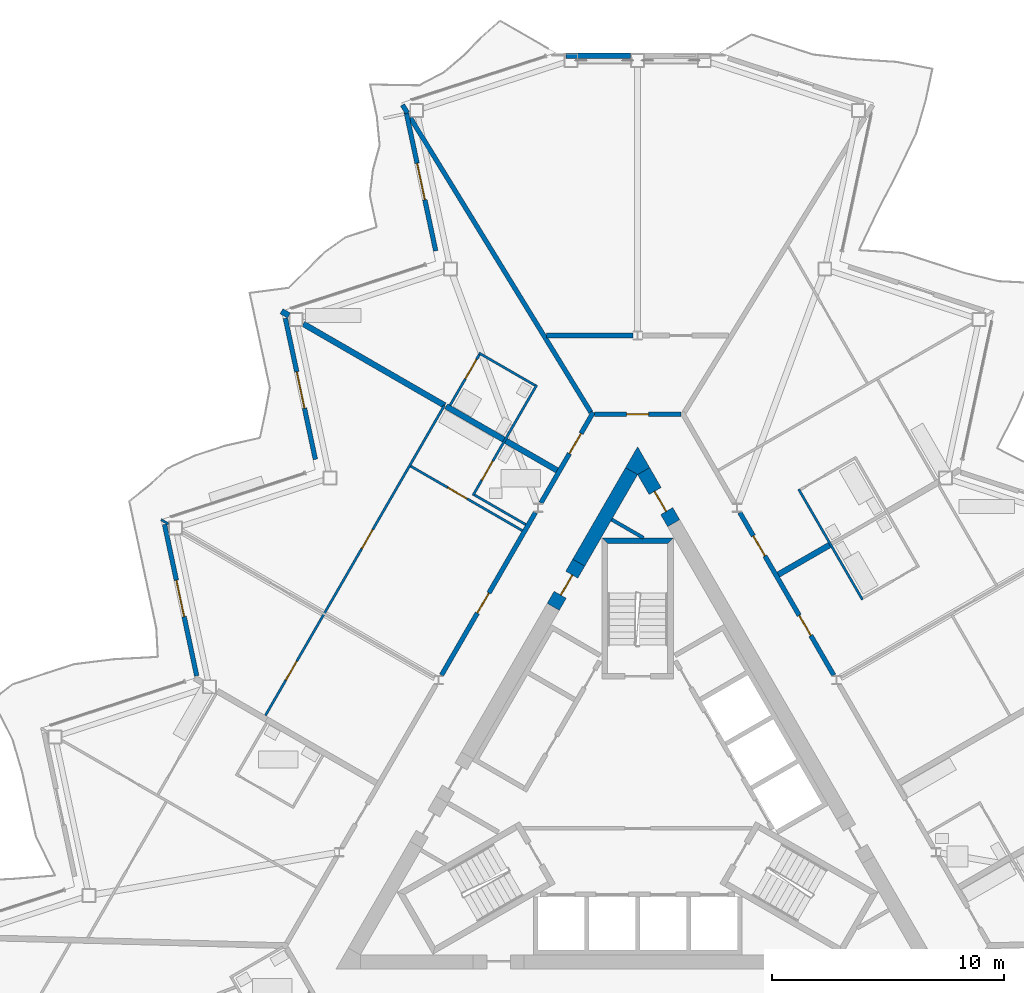
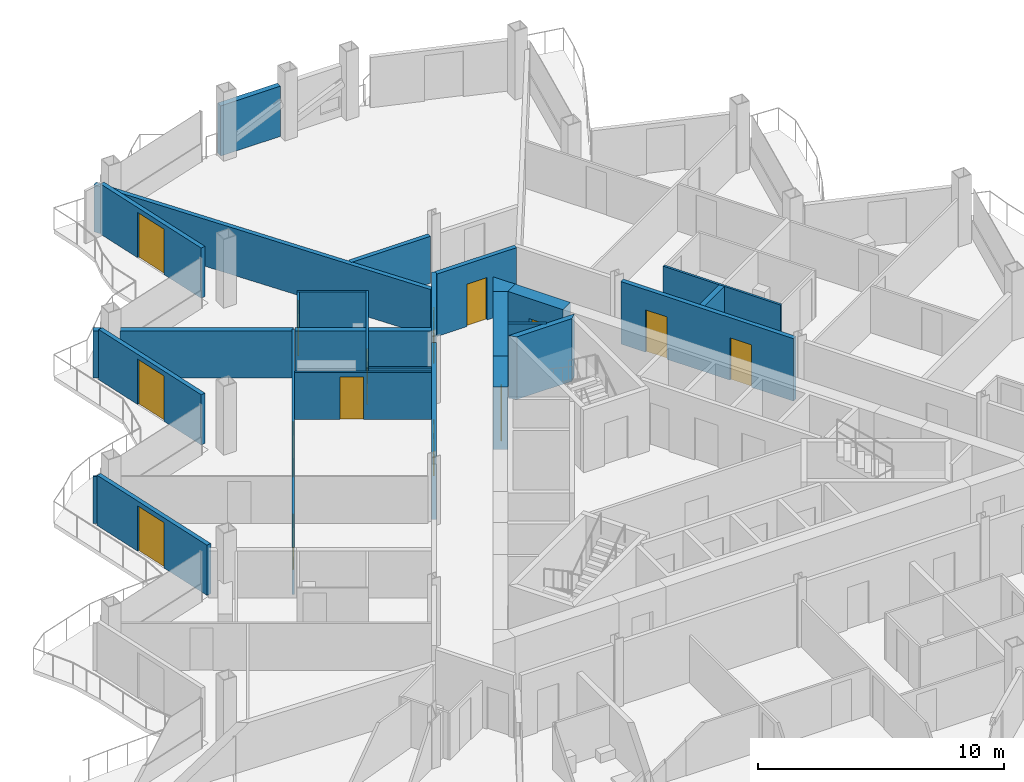
# One storey, part 18 of 28: 29 walls, 15 doors, 15 openings.
"""IFC4 building model written with IfcOpenShell, lengths in metres."""

from ifc_helpers import new_model, si_unit, direction, frame, frame_2d, origin, place, context, subcontext, project, spatial, polyline, rectangle, outline, extrude, material, layer, layer_set, type_object, element, fill, save


model = new_model("IFC4")

# Units and contexts
model_context = context("Model", 3, precision=1e-05, world=origin(), true_north=direction((0.0, 1.0)))
body_context = subcontext(model_context, "Body", "Model", "MODEL_VIEW")
ifc_project = project(units=[si_unit("LENGTHUNIT", "METRE"), si_unit("AREAUNIT", "SQUARE_METRE"), si_unit("VOLUMEUNIT", "CUBIC_METRE"), si_unit("PLANEANGLEUNIT", "RADIAN"), si_unit("MASSUNIT", "GRAM", prefix="KILO")], contexts=[model_context])

# Site, building, storey
site_placement = place(None, origin())
site = spatial("IfcSite", under=ifc_project, at=site_placement, CompositionType="ELEMENT")
building_placement = place(site_placement, origin())
building = spatial("IfcBuilding", under=site, at=building_placement, Name="Cormorant Prow Tower", CompositionType="ELEMENT")
storey_placement = place(building_placement, frame((0.0, 0.0, 305.199951171875)))
storey = spatial("IfcBuildingStorey", under=building, at=storey_placement, Name="L66", CompositionType="ELEMENT", Elevation=305.199951171875)

# Walls
ifc_material_1 = material(Name="Gypsum board partition")
ifc_layer_1 = layer(ifc_material_1, 0.14990234375)
ifc_layer_set_1 = layer_set([ifc_layer_1], Name="Gypsum board partition")
wall_type_1 = type_object("IfcWallType", Name="Core partition 150", PredefinedType="PARTITIONING", material=ifc_layer_set_1)
wall_1_placement = place(storey_placement, frame((-1.119140625, 11.872802734375, 0.0), z_axis=(0.0, 0.0, 1.0), x_axis=(0.865992812752, -0.500056445075, 0.0)))
element("IfcWall", 1, at=wall_1_placement, inside=storey, type_object=wall_type_1, Name="Service room partition", PredefinedType="PARTITIONING", context=body_context, shape_type="SweptSolid", body=[
    extrude(rectangle(XDim=1.581787109375, YDim=0.14990234375, at=frame_2d((0.791015625, 0.0))), origin(), (0.0, 0.0, 1.0), 3.10009765625),
])
ifc_material_2 = material(Name="Concrete 8000 psi", Category="concrete")
ifc_layer_2 = layer(ifc_material_2, 0.60009765625)
ifc_layer_set_2 = layer_set([ifc_layer_2], Name="Concrete 8000 psi")
wall_type_2 = type_object("IfcWallType", Name="Core shear wall 600", PredefinedType="SHEAR", material=ifc_layer_set_2)
wall_2_placement = place(storey_placement, frame((-0.259765625, 13.961181640625, 0.0), z_axis=(0.0, 0.0, 1.0), x_axis=(-0.499980485389, -0.866036670257, 0.0)))
element("IfcWall", 2, at=wall_2_placement, inside=storey, type_object=wall_type_2, Name="Core wall", PredefinedType="SHEAR", context=body_context, shape_type="SweptSolid", body=[
    extrude(rectangle(XDim=4.559326171875, YDim=0.60009765625, at=frame_2d((2.27978515625, 0.0))), origin(), (0.0, 0.0, 1.0), 3.10009765625),
])
wall_3_placement = place(storey_placement, origin())
element("IfcWall", 3, at=wall_3_placement, inside=storey, type_object=wall_type_2, Name="Core wall corner", PredefinedType="SHEAR", context=body_context, shape_type="SweptSolid", body=[
    extrude(outline(polyline([(-0.51953125, 14.111083984375), (0.0, 15.010986328125), (0.51953125, 14.111083984375), (0.0, 13.81103515625), (-0.51953125, 14.111083984375)])), origin(), (0.0, 0.0, 1.0), 3.10009765625),
])

# Wall, opening, door
wall_4_placement = place(storey_placement, frame((-2.539306640625, 10.0126953125, 0.0), z_axis=(0.0, 0.0, 1.0), x_axis=(-0.50002983664, -0.866008176907, 0.0)))
wall_4 = element("IfcWall", 4, at=wall_4_placement, inside=storey, type_object=wall_type_2, Name="Core wall door panel", PredefinedType="SHEAR", context=body_context, shape_type="SweptSolid", body=[
    extrude(rectangle(XDim=2.199951171875, YDim=0.60009765625, at=frame_2d((1.10009765625, 0.0))), origin(), (0.0, 0.0, 1.0), 3.10009765625),
])
opening_1_placement = place(wall_4_placement, frame((0.60009765625, 0.0, 0.0)))
opening_1 = element("IfcOpeningElement", 5, at=opening_1_placement, cuts=wall_4, Name="Opening L66-C19", PredefinedType="OPENING", context=body_context, shape_type="SweptSolid", body=[
    extrude(rectangle(XDim=1.0, YDim=2.10009765625, at=frame_2d((0.5, 1.050048828125))), frame((0.0, 0.31005859375, 0.0), z_axis=(0.0, -1.0, 0.0), x_axis=(1.0, 0.0, 0.0)), (0.0, 0.0, 1.0), 0.6201171875),
])
ifc_material_3 = material(Name="Painted steel", Category="steel")
door_type_1 = type_object("IfcDoorType", Name="Service door 1000x2100", OperationType="NOTDEFINED", PredefinedType="DOOR", material=ifc_material_3)
door_1_placement = place(opening_1_placement, origin())
door_1 = element("IfcDoor", 6, at=door_1_placement, inside=storey, type_object=door_type_1, Name="Core door, Telecom room", OperationType="SINGLE_SWING_LEFT", OverallHeight=2.10009765625, OverallWidth=1.0, PredefinedType="DOOR", context=body_context, shape_type="SweptSolid", body=[
    extrude(rectangle(XDim=1.0, YDim=2.10009765625, at=frame_2d((0.5, 1.050048828125))), frame((0.0, 0.05517578125, 0.0), z_axis=(0.0, -1.0, 0.0), x_axis=(1.0, 0.0, 0.0)), (0.0, 0.0, 1.0), 0.050048828125),
])
fill(opening_1, door_1)

wall_5_placement = place(storey_placement, frame((1.555908203125, 11.71630859375, 0.0), z_axis=(0.0, 0.0, 1.0), x_axis=(-0.500018667571, 0.866014625789, 0.0)))
wall_5 = element("IfcWall", 7, at=wall_5_placement, inside=storey, type_object=wall_type_2, Name="Core wall door panel", PredefinedType="SHEAR", context=body_context, shape_type="SweptSolid", body=[
    extrude(rectangle(XDim=2.59228515625, YDim=0.60009765625, at=frame_2d((1.296142578125, 0.0))), origin(), (0.0, 0.0, 1.0), 3.10009765625),
])
opening_2_placement = place(wall_5_placement, frame((0.60009765625, 0.0, 0.0)))
opening_2 = element("IfcOpeningElement", 8, at=opening_2_placement, cuts=wall_5, Name="Opening L66-C20", PredefinedType="OPENING", context=body_context, shape_type="SweptSolid", body=[
    extrude(rectangle(XDim=1.0, YDim=2.10009765625, at=frame_2d((0.5, 1.050048828125))), frame((0.0, 0.31005859375, 0.0), z_axis=(0.0, -1.0, 0.0), x_axis=(1.0, 0.0, 0.0)), (0.0, 0.0, 1.0), 0.6201171875),
])
door_2_placement = place(opening_2_placement, origin())
door_2 = element("IfcDoor", 9, at=door_2_placement, inside=storey, type_object=door_type_1, Name="Core door, Pantry store", OperationType="SINGLE_SWING_RIGHT", OverallHeight=2.10009765625, OverallWidth=1.0, PredefinedType="DOOR", context=body_context, shape_type="SweptSolid", body=[
    extrude(rectangle(XDim=1.0, YDim=2.10009765625, at=frame_2d((0.5, 1.050048828125))), frame((0.0, 0.05517578125, 0.0), z_axis=(0.0, -1.0, 0.0), x_axis=(1.0, 0.0, 0.0)), (0.0, 0.0, 1.0), 0.050048828125),
])
fill(opening_2, door_2)

# Wall, openings, doors
ifc_material_4 = material(Name="Gypsum board corridor wall")
ifc_layer_3 = layer(ifc_material_4, 0.199951171875)
ifc_layer_set_3 = layer_set([ifc_layer_3], Name="Gypsum board corridor wall")
wall_type_3 = type_object("IfcWallType", Name="Corridor wall 200", PredefinedType="PARTITIONING", material=ifc_layer_set_3)
wall_6_placement = place(storey_placement, frame((4.4091796875, 12.17431640625, 0.0), z_axis=(0.0, 0.0, 1.0), x_axis=(0.499984266882, -0.866034487114, 0.0)))
wall_6 = element("IfcWall", 10, at=wall_6_placement, inside=storey, type_object=wall_type_3, Name="Corridor wall", PredefinedType="PARTITIONING", context=body_context, shape_type="SweptSolid", body=[
    extrude(rectangle(XDim=8.098876953125, YDim=0.199951171875, at=frame_2d((4.04931640625, 0.0))), origin(), (0.0, 0.0, 1.0), 3.10009765625),
])
opening_3_placement = place(wall_6_placement, frame((5.123046875, 0.0, 0.0)))
opening_3 = element("IfcOpeningElement", 11, at=opening_3_placement, cuts=wall_6, Name="Opening L66-F26", PredefinedType="OPENING", context=body_context, shape_type="SweptSolid", body=[
    extrude(rectangle(XDim=1.0, YDim=2.10009765625, at=frame_2d((0.5, 1.050048828125))), frame((0.0, 0.10986328125, 0.0), z_axis=(0.0, -1.0, 0.0), x_axis=(1.0, 0.0, 0.0)), (0.0, 0.0, 1.0), 0.219970703125),
])
opening_4_placement = place(wall_6_placement, frame((1.16357421875, 0.0, 0.0)))
opening_4 = element("IfcOpeningElement", 12, at=opening_4_placement, cuts=wall_6, Name="Opening L66-F31", PredefinedType="OPENING", context=body_context, shape_type="SweptSolid", body=[
    extrude(rectangle(XDim=1.0, YDim=2.10009765625, at=frame_2d((0.5, 1.050048828125))), frame((0.0, 0.10986328125, 0.0), z_axis=(0.0, -1.0, 0.0), x_axis=(1.0, 0.0, 0.0)), (0.0, 0.0, 1.0), 0.219970703125),
])
ifc_material_5 = material(Name="Timber door leaf", Category="wood")
door_type_2 = type_object("IfcDoorType", Name="Flat or room entrance door 1000x2100", OperationType="NOTDEFINED", PredefinedType="DOOR", material=ifc_material_5)
door_3_placement = place(opening_3_placement, origin())
door_3 = element("IfcDoor", 13, at=door_3_placement, inside=storey, type_object=door_type_2, Name="Living room door", OperationType="SINGLE_SWING_RIGHT", OverallHeight=2.10009765625, OverallWidth=1.0, PredefinedType="DOOR", context=body_context, shape_type="SweptSolid", body=[
    extrude(rectangle(XDim=1.0, YDim=2.10009765625, at=frame_2d((0.5, 1.050048828125))), frame((0.0, 0.02490234375, 0.0), z_axis=(0.0, -1.0, 0.0), x_axis=(1.0, 0.0, 0.0)), (0.0, 0.0, 1.0), 0.050048828125),
])
fill(opening_3, door_3)
door_4_placement = place(opening_4_placement, origin())
door_4 = element("IfcDoor", 14, at=door_4_placement, inside=storey, type_object=door_type_2, Name="Living room door", OperationType="SINGLE_SWING_RIGHT", OverallHeight=2.10009765625, OverallWidth=1.0, PredefinedType="DOOR", context=body_context, shape_type="SweptSolid", body=[
    extrude(rectangle(XDim=1.0, YDim=2.10009765625, at=frame_2d((0.5, 1.050048828125))), frame((0.0, 0.02490234375, 0.0), z_axis=(0.0, -1.0, 0.0), x_axis=(1.0, 0.0, 0.0)), (0.0, 0.0, 1.0), 0.050048828125),
])
fill(opening_4, door_4)

# Wall, opening, door
wall_7_placement = place(storey_placement, frame((-8.45849609375, 5.160400390625, 0.0), z_axis=(0.0, 0.0, 1.0), x_axis=(0.499984266882, 0.866034487114, 0.0)))
wall_7 = element("IfcWall", 15, at=wall_7_placement, inside=storey, type_object=wall_type_3, Name="Corridor wall", PredefinedType="PARTITIONING", context=body_context, shape_type="SweptSolid", body=[
    extrude(rectangle(XDim=8.098876953125, YDim=0.199951171875, at=frame_2d((4.04931640625, 0.0))), origin(), (0.0, 0.0, 1.0), 3.10009765625),
])
opening_5_placement = place(wall_7_placement, frame((3.092529296875, 0.0, 0.0)))
opening_5 = element("IfcOpeningElement", 16, at=opening_5_placement, cuts=wall_7, Name="Opening L66-F40", PredefinedType="OPENING", context=body_context, shape_type="SweptSolid", body=[
    extrude(rectangle(XDim=1.0, YDim=2.10009765625, at=frame_2d((0.5, 1.050048828125))), frame((0.0, 0.10986328125, 0.0), z_axis=(0.0, -1.0, 0.0), x_axis=(1.0, 0.0, 0.0)), (0.0, 0.0, 1.0), 0.219970703125),
])
door_5_placement = place(opening_5_placement, origin())
door_5 = element("IfcDoor", 17, at=door_5_placement, inside=storey, type_object=door_type_2, Name="Living room door", OperationType="SINGLE_SWING_LEFT", OverallHeight=2.10009765625, OverallWidth=1.0, PredefinedType="DOOR", context=body_context, shape_type="SweptSolid", body=[
    extrude(rectangle(XDim=1.0, YDim=2.10009765625, at=frame_2d((0.5, 1.050048828125))), frame((0.0, 0.02490234375, 0.0), z_axis=(0.0, -1.0, 0.0), x_axis=(1.0, 0.0, 0.0)), (0.0, 0.0, 1.0), 0.050048828125),
])
fill(opening_5, door_5)

wall_8_placement = place(storey_placement, frame((-4.169189453125, 12.589599609375, 0.0), z_axis=(0.0, 0.0, 1.0), x_axis=(0.499950370306, 0.866054055606, 0.0)))
wall_8 = element("IfcWall", 18, at=wall_8_placement, inside=storey, type_object=wall_type_3, Name="Corridor wall", PredefinedType="PARTITIONING", context=body_context, shape_type="SweptSolid", body=[
    extrude(rectangle(XDim=4.5126953125, YDim=0.199951171875, at=frame_2d((2.25634765625, 0.0))), origin(), (0.0, 0.0, 1.0), 3.10009765625),
])
opening_6_placement = place(wall_8_placement, frame((2.459228515625, 0.0, 0.0)))
opening_6 = element("IfcOpeningElement", 19, at=opening_6_placement, cuts=wall_8, Name="Opening L66-F38", PredefinedType="OPENING", context=body_context, shape_type="SweptSolid", body=[
    extrude(rectangle(XDim=1.0, YDim=2.10009765625, at=frame_2d((0.5, 1.050048828125))), frame((0.0, 0.10986328125, 0.0), z_axis=(0.0, -1.0, 0.0), x_axis=(1.0, 0.0, 0.0)), (0.0, 0.0, 1.0), 0.219970703125),
])
door_6_placement = place(opening_6_placement, origin())
door_6 = element("IfcDoor", 20, at=door_6_placement, inside=storey, type_object=door_type_2, Name="Studio living, kitchen and sleeping room door", OperationType="SINGLE_SWING_LEFT", OverallHeight=2.10009765625, OverallWidth=1.0, PredefinedType="DOOR", context=body_context, shape_type="SweptSolid", body=[
    extrude(rectangle(XDim=1.0, YDim=2.10009765625, at=frame_2d((0.5, 1.050048828125))), frame((0.0, 0.02490234375, 0.0), z_axis=(0.0, -1.0, 0.0), x_axis=(1.0, 0.0, 0.0)), (0.0, 0.0, 1.0), 0.050048828125),
])
fill(opening_6, door_6)

wall_9_placement = place(storey_placement, frame((-1.863037109375, 16.4111328125, 0.0), z_axis=(0.0, 0.0, 1.0), x_axis=(1.0, 0.0, 0.0)))
wall_9 = element("IfcWall", 21, at=wall_9_placement, inside=storey, type_object=wall_type_3, Name="Corridor wall", PredefinedType="PARTITIONING", context=body_context, shape_type="SweptSolid", body=[
    extrude(rectangle(XDim=3.72607421875, YDim=0.199951171875, at=frame_2d((1.863037109375, 0.0))), origin(), (0.0, 0.0, 1.0), 3.10009765625),
])
opening_7_placement = place(wall_9_placement, frame((1.387939453125, 0.0, 0.0)))
opening_7 = element("IfcOpeningElement", 22, at=opening_7_placement, cuts=wall_9, Name="Opening L66-F36", PredefinedType="OPENING", context=body_context, shape_type="SweptSolid", body=[
    extrude(rectangle(XDim=0.949951171875, YDim=2.10009765625, at=frame_2d((0.47509765625, 1.050048828125))), frame((0.0, 0.10986328125, 0.0), z_axis=(0.0, -1.0, 0.0), x_axis=(1.0, 0.0, 0.0)), (0.0, 0.0, 1.0), 0.219970703125),
])
ifc_material_6 = material(Name="Timber door leaf", Category="wood")
door_type_3 = type_object("IfcDoorType", Name="Store door 950x2100", OperationType="NOTDEFINED", PredefinedType="DOOR", material=ifc_material_6)
door_7_placement = place(opening_7_placement, origin())
door_7 = element("IfcDoor", 23, at=door_7_placement, inside=storey, type_object=door_type_3, Name="Bicycle store door", OperationType="SINGLE_SWING_LEFT", OverallHeight=2.10009765625, OverallWidth=0.949951171875, PredefinedType="DOOR", context=body_context, shape_type="SweptSolid", body=[
    extrude(rectangle(XDim=0.949951171875, YDim=2.10009765625, at=frame_2d((0.47509765625, 1.050048828125))), frame((0.0, 0.02490234375, 0.0), z_axis=(0.0, -1.0, 0.0), x_axis=(1.0, 0.0, 0.0)), (0.0, 0.0, 1.0), 0.050048828125),
])
fill(opening_7, door_7)

# Walls
ifc_material_7 = material(Name="Gypsum board demising wall")
ifc_layer_4 = layer(ifc_material_7, 0.199951171875)
ifc_layer_set_4 = layer_set([ifc_layer_4], Name="Gypsum board demising wall")
wall_type_4 = type_object("IfcWallType", Name="Demising wall 200", PredefinedType="PARTITIONING", material=ifc_layer_set_4)
wall_10_placement = place(storey_placement, frame((-9.802490234375, 29.2041015625, 0.0), z_axis=(0.0, 0.0, 1.0), x_axis=(0.522487920222, -0.852646687217, 0.0)))
element("IfcWall", 24, at=wall_10_placement, inside=storey, type_object=wall_type_4, Name="Demising wall", PredefinedType="PARTITIONING", context=body_context, shape_type="SweptSolid", body=[
    extrude(rectangle(XDim=14.90380859375, YDim=0.199951171875, at=frame_2d((7.451904296875, 0.0))), origin(), (0.0, 0.0, 1.0), 2.330078125),
])
wall_11_placement = place(storey_placement, frame((-3.926025390625, 19.81103515625, 0.0), z_axis=(0.0, 0.0, 1.0), x_axis=(1.0, 0.0, 0.0)))
element("IfcWall", 25, at=wall_11_placement, inside=storey, type_object=wall_type_4, Name="Demising wall", PredefinedType="PARTITIONING", context=body_context, shape_type="SweptSolid", body=[
    extrude(rectangle(XDim=3.71826171875, YDim=0.199951171875, at=frame_2d((1.859130859375, 0.0))), origin(), (0.0, 0.0, 1.0), 2.330078125),
])
wall_12_placement = place(storey_placement, frame((-10.13916015625, 29.75390625, 0.0), z_axis=(0.0, 0.0, 1.0), x_axis=(0.522224976177, -0.852807759262, 0.0)))
element("IfcWall", 26, at=wall_12_placement, inside=storey, type_object=wall_type_4, Name="Demising wall", PredefinedType="PARTITIONING", context=body_context, shape_type="SweptSolid", body=[
    extrude(rectangle(XDim=0.40771484375, YDim=0.199951171875, at=frame_2d((0.203857421875, 0.0))), origin(), (0.0, 0.0, 1.0), 2.330078125),
])

# Wall, openings, doors
ifc_material_8 = material(Name="Gypsum board partition")
ifc_layer_5 = layer(ifc_material_8, 0.10009765625)
ifc_layer_set_5 = layer_set([ifc_layer_5], Name="Gypsum board partition")
wall_type_5 = type_object("IfcWallType", Name="Internal partition 100", PredefinedType="PARTITIONING", material=ifc_layer_set_5)
wall_13_placement = place(storey_placement, frame((-16.053955078125, 3.419189453125, 0.0), z_axis=(0.0, 0.0, 1.0), x_axis=(0.499999256795, 0.866025832873, 0.0)))
wall_13 = element("IfcWall", 27, at=wall_13_placement, inside=storey, type_object=wall_type_5, Name="Internal partition", PredefinedType="PARTITIONING", context=body_context, shape_type="SweptSolid", body=[
    extrude(rectangle(XDim=15.44775390625, YDim=0.10009765625, at=frame_2d((7.723876953125, 0.0))), origin(), (0.0, 0.0, 1.0), 2.330078125),
])
opening_8_placement = place(wall_13_placement, frame((8.306396484375, 0.0, 0.0)))
opening_8 = element("IfcOpeningElement", 28, at=opening_8_placement, cuts=wall_13, Name="Opening L66-F42", PredefinedType="OPENING", context=body_context, shape_type="SweptSolid", body=[
    extrude(rectangle(XDim=0.949951171875, YDim=2.10009765625, at=frame_2d((0.47509765625, 1.050048828125))), frame((0.0, 0.06005859375, 0.0), z_axis=(0.0, -1.0, 0.0), x_axis=(1.0, 0.0, 0.0)), (0.0, 0.0, 1.0), 0.1201171875),
])
opening_9_placement = place(wall_13_placement, frame((1.760498046875, 0.0, 0.0)))
opening_9 = element("IfcOpeningElement", 29, at=opening_9_placement, cuts=wall_13, Name="Opening L66-F44", PredefinedType="OPENING", context=body_context, shape_type="SweptSolid", body=[
    extrude(rectangle(XDim=0.949951171875, YDim=2.10009765625, at=frame_2d((0.47509765625, 1.050048828125))), frame((0.0, 0.06005859375, 0.0), z_axis=(0.0, -1.0, 0.0), x_axis=(1.0, 0.0, 0.0)), (0.0, 0.0, 1.0), 0.1201171875),
])
ifc_material_9 = material(Name="Timber door leaf", Category="wood")
door_type_4 = type_object("IfcDoorType", Name="Bathroom door 950x2100", OperationType="NOTDEFINED", PredefinedType="DOOR", material=ifc_material_9)
door_8_placement = place(opening_8_placement, origin())
door_8 = element("IfcDoor", 30, at=door_8_placement, inside=storey, type_object=door_type_4, Name="Living room door", OperationType="SINGLE_SWING_LEFT", OverallHeight=2.10009765625, OverallWidth=0.949951171875, PredefinedType="DOOR", context=body_context, shape_type="SweptSolid", body=[
    extrude(rectangle(XDim=0.949951171875, YDim=2.10009765625, at=frame_2d((0.47509765625, 1.050048828125))), frame((0.0, 0.02490234375, 0.0), z_axis=(0.0, -1.0, 0.0), x_axis=(1.0, 0.0, 0.0)), (0.0, 0.0, 1.0), 0.050048828125),
])
fill(opening_8, door_8)
door_9_placement = place(opening_9_placement, origin())
door_9 = element("IfcDoor", 31, at=door_9_placement, inside=storey, type_object=door_type_4, Name="Bedroom door", OperationType="SINGLE_SWING_RIGHT", OverallHeight=2.10009765625, OverallWidth=0.949951171875, PredefinedType="DOOR", context=body_context, shape_type="SweptSolid", body=[
    extrude(rectangle(XDim=0.949951171875, YDim=2.10009765625, at=frame_2d((0.47509765625, 1.050048828125))), frame((0.0, 0.02490234375, 0.0), z_axis=(0.0, -1.0, 0.0), x_axis=(1.0, 0.0, 0.0)), (0.0, 0.0, 1.0), 0.050048828125),
])
fill(opening_9, door_9)

# Wall, opening, door
wall_14_placement = place(storey_placement, frame((-9.786865234375, 14.17431640625, 0.0), z_axis=(0.0, 0.0, 1.0), x_axis=(0.866031222068, -0.499989922303, 0.0)))
wall_14 = element("IfcWall", 32, at=wall_14_placement, inside=storey, type_object=wall_type_5, Name="Internal partition", PredefinedType="PARTITIONING", context=body_context, shape_type="SweptSolid", body=[
    extrude(rectangle(XDim=5.55712890625, YDim=0.10009765625, at=frame_2d((2.778564453125, 0.0))), origin(), (0.0, 0.0, 1.0), 2.330078125),
])
opening_10_placement = place(wall_14_placement, frame((1.852783203125, 0.0, 0.0)))
opening_10 = element("IfcOpeningElement", 33, at=opening_10_placement, cuts=wall_14, Name="Opening L66-F41", PredefinedType="OPENING", context=body_context, shape_type="SweptSolid", body=[
    extrude(rectangle(XDim=0.949951171875, YDim=2.10009765625, at=frame_2d((0.47509765625, 1.050048828125))), frame((0.0, 0.06005859375, 0.0), z_axis=(0.0, -1.0, 0.0), x_axis=(1.0, 0.0, 0.0)), (0.0, 0.0, 1.0), 0.1201171875),
])
door_10_placement = place(opening_10_placement, origin())
door_10 = element("IfcDoor", 34, at=door_10_placement, inside=storey, type_object=door_type_4, Name="Living room door", OperationType="SINGLE_SWING_RIGHT", OverallHeight=2.10009765625, OverallWidth=0.949951171875, PredefinedType="DOOR", context=body_context, shape_type="SweptSolid", body=[
    extrude(rectangle(XDim=0.949951171875, YDim=2.10009765625, at=frame_2d((0.47509765625, 1.050048828125))), frame((0.0, 0.02490234375, 0.0), z_axis=(0.0, -1.0, 0.0), x_axis=(1.0, 0.0, 0.0)), (0.0, 0.0, 1.0), 0.050048828125),
])
fill(opening_10, door_10)

wall_15_placement = place(storey_placement, frame((-7.100830078125, 12.912109375, 0.0), z_axis=(0.0, 0.0, 1.0), x_axis=(0.499996545922, 0.866027397988, 0.0)))
wall_15 = element("IfcWall", 35, at=wall_15_placement, inside=storey, type_object=wall_type_5, Name="Internal partition", PredefinedType="PARTITIONING", context=body_context, shape_type="SweptSolid", body=[
    extrude(rectangle(XDim=5.5, YDim=0.10009765625, at=frame_2d((2.75, 0.0))), origin(), (0.0, 0.0, 1.0), 2.330078125),
])
opening_11_placement = place(wall_15_placement, frame((0.75634765625, 0.0, 0.0)))
opening_11 = element("IfcOpeningElement", 36, at=opening_11_placement, cuts=wall_15, Name="Opening L66-F45", PredefinedType="OPENING", context=body_context, shape_type="SweptSolid", body=[
    extrude(rectangle(XDim=0.949951171875, YDim=2.10009765625, at=frame_2d((0.47509765625, 1.050048828125))), frame((0.0, 0.06005859375, 0.0), z_axis=(0.0, -1.0, 0.0), x_axis=(1.0, 0.0, 0.0)), (0.0, 0.0, 1.0), 0.1201171875),
])
door_11_placement = place(opening_11_placement, origin())
door_11 = element("IfcDoor", 37, at=door_11_placement, inside=storey, type_object=door_type_4, Name="Kitchen door", OperationType="SINGLE_SWING_LEFT", OverallHeight=2.10009765625, OverallWidth=0.949951171875, PredefinedType="DOOR", context=body_context, shape_type="SweptSolid", body=[
    extrude(rectangle(XDim=0.949951171875, YDim=2.10009765625, at=frame_2d((0.47509765625, 1.050048828125))), frame((0.0, 0.02490234375, 0.0), z_axis=(0.0, -1.0, 0.0), x_axis=(1.0, 0.0, 0.0)), (0.0, 0.0, 1.0), 0.050048828125),
])
fill(opening_11, door_11)

# Walls
wall_16_placement = place(storey_placement, frame((6.9462890625, 13.1796875, 0.0), z_axis=(0.0, 0.0, 1.0), x_axis=(0.500015767406, -0.866016300277, 0.0)))
element("IfcWall", 38, at=wall_16_placement, inside=storey, type_object=wall_type_5, Name="Internal partition", PredefinedType="PARTITIONING", context=body_context, shape_type="SweptSolid", body=[
    extrude(rectangle(XDim=5.499755859375, YDim=0.10009765625, at=frame_2d((2.75, 0.0))), origin(), (0.0, 0.0, 1.0), 2.330078125),
])
wall_17_placement = place(storey_placement, frame((-6.843994140625, 19.056884765625, 0.0), z_axis=(0.0, 0.0, 1.0), x_axis=(0.866034573852, -0.49998411664, 0.0)))
element("IfcWall", 39, at=wall_17_placement, inside=storey, type_object=wall_type_5, Name="Internal partition", PredefinedType="PARTITIONING", context=body_context, shape_type="SweptSolid", body=[
    extrude(rectangle(XDim=2.7998046875, YDim=0.10009765625, at=frame_2d((1.39990234375, 0.0))), origin(), (0.0, 0.0, 1.0), 2.330078125),
])
wall_18_placement = place(storey_placement, frame((-7.032470703125, 12.930419921875, 0.0), z_axis=(0.0, 0.0, 1.0), x_axis=(0.866030925526, -0.499990435942, 0.0)))
element("IfcWall", 40, at=wall_18_placement, inside=storey, type_object=wall_type_5, Name="Internal partition", PredefinedType="PARTITIONING", context=body_context, shape_type="SweptSolid", body=[
    extrude(rectangle(XDim=2.5498046875, YDim=0.10009765625, at=frame_2d((1.27490234375, 0.0))), origin(), (0.0, 0.0, 1.0), 2.330078125),
])

# Wall, opening, door
wall_19_placement = place(storey_placement, frame((-8.088134765625, 16.802001953125, 0.0), z_axis=(0.0, 0.0, 1.0), x_axis=(0.499976333282, 0.866039067339, 0.0)))
wall_19 = element("IfcWall", 41, at=wall_19_placement, inside=storey, type_object=wall_type_5, Name="Internal partition", PredefinedType="PARTITIONING", context=body_context, shape_type="SweptSolid", body=[
    extrude(rectangle(XDim=2.52490234375, YDim=0.10009765625, at=frame_2d((1.262451171875, 0.0))), origin(), (0.0, 0.0, 1.0), 2.330078125),
])
opening_12_placement = place(wall_19_placement, frame((1.324951171875, 0.0, 0.0)))
opening_12 = element("IfcOpeningElement", 42, at=opening_12_placement, cuts=wall_19, Name="Opening L66-F39", PredefinedType="OPENING", context=body_context, shape_type="SweptSolid", body=[
    extrude(rectangle(XDim=0.949951171875, YDim=2.10009765625, at=frame_2d((0.47509765625, 1.050048828125))), frame((0.0, 0.06005859375, 0.0), z_axis=(0.0, -1.0, 0.0), x_axis=(1.0, 0.0, 0.0)), (0.0, 0.0, 1.0), 0.1201171875),
])
door_12_placement = place(opening_12_placement, origin())
door_12 = element("IfcDoor", 43, at=door_12_placement, inside=storey, type_object=door_type_4, Name="Studio living, kitchen and sleeping room door", OperationType="SINGLE_SWING_RIGHT", OverallHeight=2.10009765625, OverallWidth=0.949951171875, PredefinedType="DOOR", context=body_context, shape_type="SweptSolid", body=[
    extrude(rectangle(XDim=0.949951171875, YDim=2.10009765625, at=frame_2d((0.47509765625, 1.050048828125))), frame((0.0, 0.02490234375, 0.0), z_axis=(0.0, -1.0, 0.0), x_axis=(1.0, 0.0, 0.0)), (0.0, 0.0, 1.0), 0.050048828125),
])
fill(opening_12, door_12)

# Walls
wall_20_placement = place(storey_placement, frame((-20.5498046875, 11.864501953125, 0.0), z_axis=(0.0, 0.0, 1.0), x_axis=(0.866039913117, -0.499974868256, 0.0)))
element("IfcWall", 44, at=wall_20_placement, inside=storey, type_object=wall_type_5, Name="Internal partition", PredefinedType="PARTITIONING", context=body_context, shape_type="SweptSolid", body=[
    extrude(rectangle(XDim=0.36279296875, YDim=0.10009765625, at=frame_2d((0.181396484375, 0.0))), origin(), (0.0, 0.0, 1.0), 2.330078125),
])
ifc_material_10 = material(Name="Concrete 8000 psi", Category="concrete")
ifc_layer_6 = layer(ifc_material_10, 0.25)
ifc_layer_set_6 = layer_set([ifc_layer_6], Name="Concrete 8000 psi")
wall_type_6 = type_object("IfcWallType", Name="Stair wall 250", PredefinedType="SHEAR", material=ifc_layer_set_6)
wall_21_placement = place(storey_placement, origin())
element("IfcWall", 45, at=wall_21_placement, inside=storey, type_object=wall_type_6, Name="Stair ST3 enclosure wall (end)", PredefinedType="SHEAR", context=body_context, shape_type="SweptSolid", body=[
    extrude(outline(polyline([(1.5439453125, 11.0869140625), (-1.5439453125, 11.0869140625), (-1.2939453125, 10.8369140625), (1.2939453125, 10.8369140625), (1.5439453125, 11.0869140625)])), origin(), (0.0, 0.0, 1.0), 3.10009765625),
])
ifc_material_11 = material(Name="Acoustic gypsum party wall")
ifc_layer_7 = layer(ifc_material_11, 0.25)
ifc_layer_set_7 = layer_set([ifc_layer_7], Name="Acoustic gypsum party wall")
wall_type_7 = type_object("IfcWallType", Name="Suite party wall 250", PredefinedType="PARTITIONING", material=ifc_layer_set_7)
wall_22_placement = place(storey_placement, frame((-14.41650390625, 20.311279296875, 0.0), z_axis=(0.0, 0.0, 1.0), x_axis=(0.866027308682, -0.499996700606, 0.0)))
element("IfcWall", 46, at=wall_22_placement, inside=storey, type_object=wall_type_7, Name="Suite party wall", PredefinedType="PARTITIONING", context=body_context, shape_type="SweptSolid", body=[
    extrude(rectangle(XDim=7.0380859375, YDim=0.25, at=frame_2d((3.51904296875, 0.0))), origin(), (0.0, 0.0, 1.0), 2.330078125),
])
wall_23_placement = place(storey_placement, frame((-8.2587890625, 16.75634765625, 0.0), z_axis=(0.0, 0.0, 1.0), x_axis=(0.866023692682, -0.500002963705, 0.0)))
element("IfcWall", 47, at=wall_23_placement, inside=storey, type_object=wall_type_7, Name="Suite party wall", PredefinedType="PARTITIONING", context=body_context, shape_type="SweptSolid", body=[
    extrude(rectangle(XDim=5.52490234375, YDim=0.25, at=frame_2d((2.762451171875, 0.0))), origin(), (0.0, 0.0, 1.0), 2.330078125),
])
wall_24_placement = place(storey_placement, frame((6.069580078125, 9.498291015625, 0.0), z_axis=(0.0, 0.0, 1.0), x_axis=(0.866054858364, 0.499948979701, 0.0)))
element("IfcWall", 48, at=wall_24_placement, inside=storey, type_object=wall_type_7, Name="Suite party wall", PredefinedType="PARTITIONING", context=body_context, shape_type="SweptSolid", body=[
    extrude(rectangle(XDim=2.550048828125, YDim=0.25, at=frame_2d((1.27490234375, 0.0))), origin(), (0.0, 0.0, 1.0), 2.330078125),
])
wall_25_placement = place(storey_placement, frame((-15.35888671875, 20.85546875, 0.0), z_axis=(0.0, 0.0, 1.0), x_axis=(0.865770353626, -0.500441499861, 0.0)))
element("IfcWall", 49, at=wall_25_placement, inside=storey, type_object=wall_type_7, Name="Suite party wall", PredefinedType="PARTITIONING", context=body_context, shape_type="SweptSolid", body=[
    extrude(rectangle(XDim=0.372314453125, YDim=0.25, at=frame_2d((0.18603515625, 0.0))), origin(), (0.0, 0.0, 1.0), 2.330078125),
])
ifc_material_12 = material(Name="Terracotta", Category="masonry")
ifc_layer_8 = layer(ifc_material_12, 0.25)
ifc_layer_set_8 = layer_set([ifc_layer_8], Name="Terracotta")
wall_type_8 = type_object("IfcWallType", Name="Terracotta bay wall 250", PredefinedType="SOLIDWALL", material=ifc_layer_set_8)
wall_26_placement = place(storey_placement, frame((-0.300048828125, 31.8798828125, 0.0), z_axis=(0.0, 0.0, 1.0), x_axis=(-1.0, 0.0, 0.0)))
element("IfcWall", 50, at=wall_26_placement, inside=storey, type_object=wall_type_8, Name="Terracotta bay wall N01", PredefinedType="SOLIDWALL", context=body_context, shape_type="SweptSolid", body=[
    extrude(rectangle(XDim=2.790771484375, YDim=0.25, at=frame_2d((1.3955078125, 0.0))), origin(), (0.0, 0.0, 1.0), 2.488037109375),
])

# Wall, opening, door
ifc_material_13 = material(Name="Terracotta", Category="masonry")
ifc_layer_9 = layer(ifc_material_13, 0.199951171875)
ifc_layer_set_9 = layer_set([ifc_layer_9], Name="Terracotta")
wall_type_9 = type_object("IfcWallType", Name="Terracotta jamb wall 200", PredefinedType="SOLIDWALL", material=ifc_layer_set_9)
wall_27_placement = place(storey_placement, frame((-9.97998046875, 29.442626953125, 0.0), z_axis=(0.0, 0.0, 1.0), x_axis=(0.20793703803, -0.978142212674, 0.0)))
wall_27 = element("IfcWall", 51, at=wall_27_placement, inside=storey, type_object=wall_type_9, Name="Terracotta jamb wall WNW01", PredefinedType="SOLIDWALL", context=body_context, shape_type="SweptSolid", body=[
    extrude(rectangle(XDim=6.1171875, YDim=0.199951171875, at=frame_2d((3.05859375, 0.0))), origin(), (0.0, 0.0, 1.0), 2.488037109375),
])
opening_13_placement = place(wall_27_placement, frame((2.258544921875, 0.0, 0.0)))
opening_13 = element("IfcOpeningElement", 52, at=opening_13_placement, cuts=wall_27, Name="Opening ED66.11", PredefinedType="OPENING", context=body_context, shape_type="SweptSolid", body=[
    extrude(rectangle(XDim=1.60009765625, YDim=2.25, at=frame_2d((0.800048828125, 1.125))), frame((0.0, 0.10986328125, 0.0), z_axis=(0.0, -1.0, 0.0), x_axis=(1.0, 0.0, 0.0)), (0.0, 0.0, 1.0), 0.219970703125),
])
ifc_material_14 = material(Name="Aluminium 6063-T6", Category="aluminium")
door_type_5 = type_object("IfcDoorType", Name="Balcony door 1600x2250", OperationType="DOUBLE_DOOR_SINGLE_SWING", PredefinedType="DOOR", material=ifc_material_14)
door_13_placement = place(opening_13_placement, origin())
door_13 = element("IfcDoor", 53, at=door_13_placement, inside=storey, type_object=door_type_5, Name="Balcony door WNW01 ED66.11", OperationType="DOUBLE_DOOR_SINGLE_SWING", OverallHeight=2.25, OverallWidth=1.60009765625, PredefinedType="DOOR", context=body_context, shape_type="SweptSolid", body=[
    extrude(rectangle(XDim=1.60009765625, YDim=2.25, at=frame_2d((0.800048828125, 1.125))), frame((0.0, 0.02490234375, 0.0), z_axis=(0.0, -1.0, 0.0), x_axis=(1.0, 0.0, 0.0)), (0.0, 0.0, 1.0), 0.050048828125),
])
fill(opening_13, door_13)

wall_28_placement = place(storey_placement, frame((-15.1923828125, 20.55322265625, 0.0), z_axis=(0.0, 0.0, 1.0), x_axis=(0.207920712138, -0.97814568315, 0.0)))
wall_28 = element("IfcWall", 54, at=wall_28_placement, inside=storey, type_object=wall_type_9, Name="Terracotta jamb wall WNW03", PredefinedType="SOLIDWALL", context=body_context, shape_type="SweptSolid", body=[
    extrude(rectangle(XDim=6.220947265625, YDim=0.199951171875, at=frame_2d((3.1103515625, 0.0))), origin(), (0.0, 0.0, 1.0), 2.488037109375),
])
opening_14_placement = place(wall_28_placement, frame((2.3623046875, 0.0, 0.0)))
opening_14 = element("IfcOpeningElement", 55, at=opening_14_placement, cuts=wall_28, Name="Opening ED66.12", PredefinedType="OPENING", context=body_context, shape_type="SweptSolid", body=[
    extrude(rectangle(XDim=1.60009765625, YDim=2.25, at=frame_2d((0.800048828125, 1.125))), frame((0.0, 0.10986328125, 0.0), z_axis=(0.0, -1.0, 0.0), x_axis=(1.0, 0.0, 0.0)), (0.0, 0.0, 1.0), 0.219970703125),
])
door_14_placement = place(opening_14_placement, origin())
door_14 = element("IfcDoor", 56, at=door_14_placement, inside=storey, type_object=door_type_5, Name="Balcony door WNW03 ED66.12", OperationType="DOUBLE_DOOR_SINGLE_SWING", OverallHeight=2.25, OverallWidth=1.60009765625, PredefinedType="DOOR", context=body_context, shape_type="SweptSolid", body=[
    extrude(rectangle(XDim=1.60009765625, YDim=2.25, at=frame_2d((0.800048828125, 1.125))), frame((0.0, 0.02490234375, 0.0), z_axis=(0.0, -1.0, 0.0), x_axis=(1.0, 0.0, 0.0)), (0.0, 0.0, 1.0), 0.050048828125),
])
fill(opening_14, door_14)

wall_29_placement = place(storey_placement, frame((-20.404296875, 11.660888671875, 0.0), z_axis=(0.0, 0.0, 1.0), x_axis=(0.207893301034, -0.978151509422, 0.0)))
wall_29 = element("IfcWall", 57, at=wall_29_placement, inside=storey, type_object=wall_type_9, Name="Terracotta jamb wall WNW05", PredefinedType="SOLIDWALL", context=body_context, shape_type="SweptSolid", body=[
    extrude(rectangle(XDim=6.677490234375, YDim=0.199951171875, at=frame_2d((3.3388671875, 0.0))), origin(), (0.0, 0.0, 1.0), 2.488037109375),
])
opening_15_placement = place(wall_29_placement, frame((2.463134765625, 0.0, 0.0)))
opening_15 = element("IfcOpeningElement", 58, at=opening_15_placement, cuts=wall_29, Name="Opening ED66.13", PredefinedType="OPENING", context=body_context, shape_type="SweptSolid", body=[
    extrude(rectangle(XDim=1.60009765625, YDim=2.25, at=frame_2d((0.800048828125, 1.125))), frame((0.0, 0.10986328125, 0.0), z_axis=(0.0, -1.0, 0.0), x_axis=(1.0, 0.0, 0.0)), (0.0, 0.0, 1.0), 0.219970703125),
])
door_15_placement = place(opening_15_placement, origin())
door_15 = element("IfcDoor", 59, at=door_15_placement, inside=storey, type_object=door_type_5, Name="Balcony door WNW05 ED66.13", OperationType="DOUBLE_DOOR_SINGLE_SWING", OverallHeight=2.25, OverallWidth=1.60009765625, PredefinedType="DOOR", context=body_context, shape_type="SweptSolid", body=[
    extrude(rectangle(XDim=1.60009765625, YDim=2.25, at=frame_2d((0.800048828125, 1.125))), frame((0.0, 0.02490234375, 0.0), z_axis=(0.0, -1.0, 0.0), x_axis=(1.0, 0.0, 0.0)), (0.0, 0.0, 1.0), 0.050048828125),
])
fill(opening_15, door_15)

save(model, "model.ifc")
